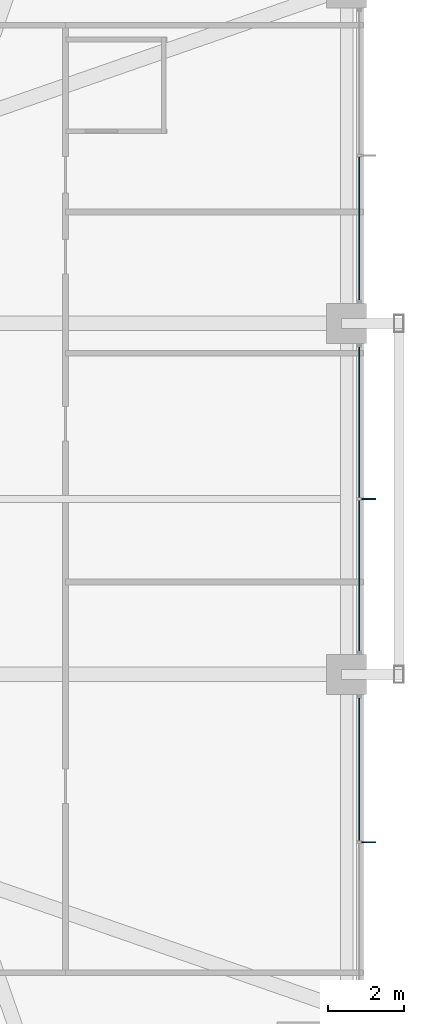
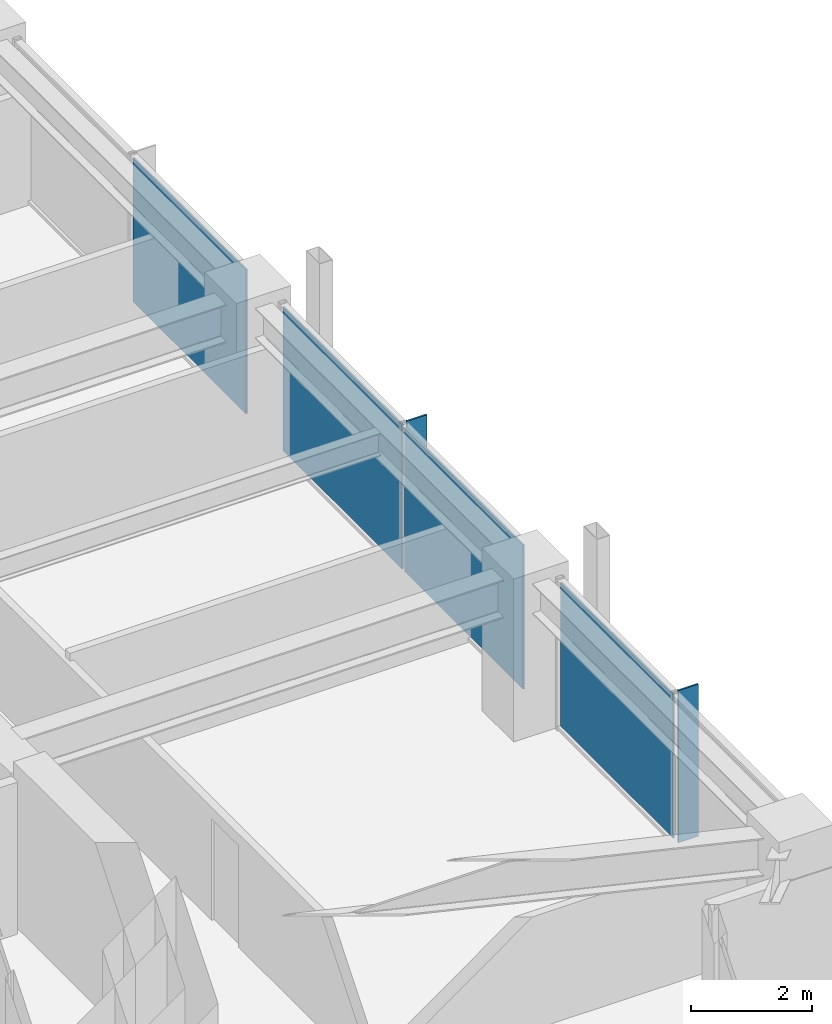
# One storey, part 29 of 38: 6 plates, 3 elements without a shape of their own.
"""IFC4 building model written with IfcOpenShell, lengths in metres."""

from ifc_helpers import new_model, si_unit, direction, frame, origin, origin_2d, place, context, subcontext, project, spatial, rectangle, extrude, material, layer, layer_set, type_object, element, aggregate, save


model = new_model("IFC4")

# Units and contexts
model_context = context("Model", 3, precision=1e-05, world=origin(), true_north=direction((0.0, 1.0)))
body_context = subcontext(model_context, "Body", "Model", "MODEL_VIEW")
ifc_project = project(units=[si_unit("LENGTHUNIT", "METRE"), si_unit("AREAUNIT", "SQUARE_METRE"), si_unit("VOLUMEUNIT", "CUBIC_METRE"), si_unit("PLANEANGLEUNIT", "RADIAN"), si_unit("MASSUNIT", "GRAM", prefix="KILO")], contexts=[model_context])

# Site, building, storey
site_placement = place(None, origin())
site = spatial("IfcSite", under=ifc_project, at=site_placement, CompositionType="ELEMENT")
building_placement = place(site_placement, origin())
building = spatial("IfcBuilding", under=site, at=building_placement, Name="Kolvaren Belvedere", CompositionType="ELEMENT")
storey_placement = place(building_placement, frame((0.0, 0.0, 72.199951171875)))
storey = spatial("IfcBuildingStorey", under=building, at=storey_placement, Name="L20", CompositionType="ELEMENT", Elevation=72.199951171875)

# Curtain wall, plate
ifc_material_1 = material(Name="Anodised pale-metal aluminium AA 6063-T6", Category="aluminium")
curtain_wall_type = type_object("IfcCurtainWallType", Name="CW-Z2-MID", PredefinedType="NOTDEFINED", material=ifc_material_1)
curtain_wall_1_placement = place(storey_placement, origin())
curtain_wall_1 = element("IfcCurtainWall", 1, at=curtain_wall_1_placement, inside=storey, type_object=curtain_wall_type, Name="L20 Unitised Curtain Wall FCW-L20-E-B1", PredefinedType="NOTDEFINED")
ifc_material_2 = material(Name="Low-iron triple insulated glass", Category="glass")
ifc_layer_1 = layer(ifc_material_2, 0.028076171875)
ifc_layer_set_1 = layer_set([ifc_layer_1], Name="Low-iron triple insulated glass")
plate_type_1 = type_object("IfcPlateType", Name="CW-PNL-VIS28", PredefinedType="CURTAIN_PANEL", material=ifc_layer_set_1)
plate_1_placement = place(storey_placement, frame((20.280029296875, 7.0888671875, 0.080078125), z_axis=(0.0, 0.0, 1.0), x_axis=(0.0, -1.0, 0.0)))
plate_1 = element("IfcPlate", 2, at=plate_1_placement, type_object=plate_type_1, Name="FCW-L20-E-B1 Vision Glazing Panel 2", PredefinedType="CURTAIN_PANEL", context=body_context, shape_type="SweptSolid", body=[
    extrude(rectangle(XDim=3.742431640625, YDim=0.028076171875, at=origin_2d()), origin(), (0.0, 0.0, 1.0), 2.919921875),
])
aggregate(curtain_wall_1, [plate_1])

# Curtain wall, plates
curtain_wall_2_placement = place(storey_placement, origin())
curtain_wall_2 = element("IfcCurtainWall", 3, at=curtain_wall_2_placement, inside=storey, type_object=curtain_wall_type, Name="L20 Unitised Curtain Wall FCW-L20-E-B2", PredefinedType="NOTDEFINED")
plate_2_placement = place(storey_placement, frame((20.280029296875, 2.01123046875, 0.080078125), z_axis=(0.0, 0.0, 1.0), x_axis=(0.0, -1.0, 0.0)))
plate_2 = element("IfcPlate", 4, at=plate_2_placement, type_object=plate_type_1, Name="FCW-L20-E-B2 Vision Glazing Panel 1", PredefinedType="CURTAIN_PANEL", context=body_context, shape_type="SweptSolid", body=[
    extrude(rectangle(XDim=3.9423828125, YDim=0.028076171875, at=origin_2d()), origin(), (0.0, 0.0, 1.0), 2.919921875),
])
plate_3_placement = place(storey_placement, frame((20.280029296875, -2.01123046875, 0.080078125), z_axis=(0.0, 0.0, 1.0), x_axis=(0.0, -1.0, 0.0)))
plate_3 = element("IfcPlate", 5, at=plate_3_placement, type_object=plate_type_1, Name="FCW-L20-E-B2 Vision Glazing Panel 2", PredefinedType="CURTAIN_PANEL", context=body_context, shape_type="SweptSolid", body=[
    extrude(rectangle(XDim=3.9423828125, YDim=0.028076171875, at=origin_2d()), origin(), (0.0, 0.0, 1.0), 2.919921875),
])
aggregate(curtain_wall_2, [plate_2, plate_3])

# Curtain wall, plate
curtain_wall_3_placement = place(storey_placement, origin())
curtain_wall_3 = element("IfcCurtainWall", 6, at=curtain_wall_3_placement, inside=storey, type_object=curtain_wall_type, Name="L20 Unitised Curtain Wall FCW-L20-E-B3", PredefinedType="NOTDEFINED")
plate_4_placement = place(storey_placement, frame((20.280029296875, -7.0888671875, 0.080078125), z_axis=(0.0, 0.0, 1.0), x_axis=(0.0, -1.0, 0.0)))
plate_4 = element("IfcPlate", 7, at=plate_4_placement, type_object=plate_type_1, Name="FCW-L20-E-B3 Vision Glazing Panel 1", PredefinedType="CURTAIN_PANEL", context=body_context, shape_type="SweptSolid", body=[
    extrude(rectangle(XDim=3.742431640625, YDim=0.028076171875, at=origin_2d()), origin(), (0.0, 0.0, 1.0), 2.919921875),
])
aggregate(curtain_wall_3, [plate_4])

# Plates
ifc_material_3 = material(Name="Anodised pale-metal aluminium AA 6063-T6", Category="aluminium")
ifc_layer_2 = layer(ifc_material_3, 0.033935546875)
ifc_layer_set_2 = layer_set([ifc_layer_2], Name="Anodised pale-metal aluminium AA 6063-T6")
plate_type_2 = type_object("IfcPlateType", Name="FIN-VERT-380", PredefinedType="USERDEFINED", material=ifc_layer_set_2)
for number, where, z_axis, x_axis, name in (
    (8, (20.52490234375, 0.0, 0.0), (0.0, 0.0, 1.0), (1.0, 0.0, 0.0), "L20 Pale-Metal Vertical Shading Fin FCW-L20-E-B2-1"),
    (9, (20.52490234375, -9.0, 0.0), (0.0, 0.0, 1.0), (1.0, 0.0, 0.0), "L20 Pale-Metal Vertical Shading Fin FCW-L20-E-B3-1"),
):
    element("IfcPlate", number, at=place(storey_placement, frame(where, z_axis=z_axis, x_axis=x_axis)), inside=storey, type_object=plate_type_2, Name=name, ObjectType="VERTICAL FIN", PredefinedType="USERDEFINED", context=body_context, shape_type="SweptSolid", body=[
        extrude(rectangle(XDim=0.3798828125, YDim=0.033935546875, at=origin_2d()), origin(), (0.0, 0.0, 1.0), 3.080078125),
    ])

save(model, "model.ifc")
